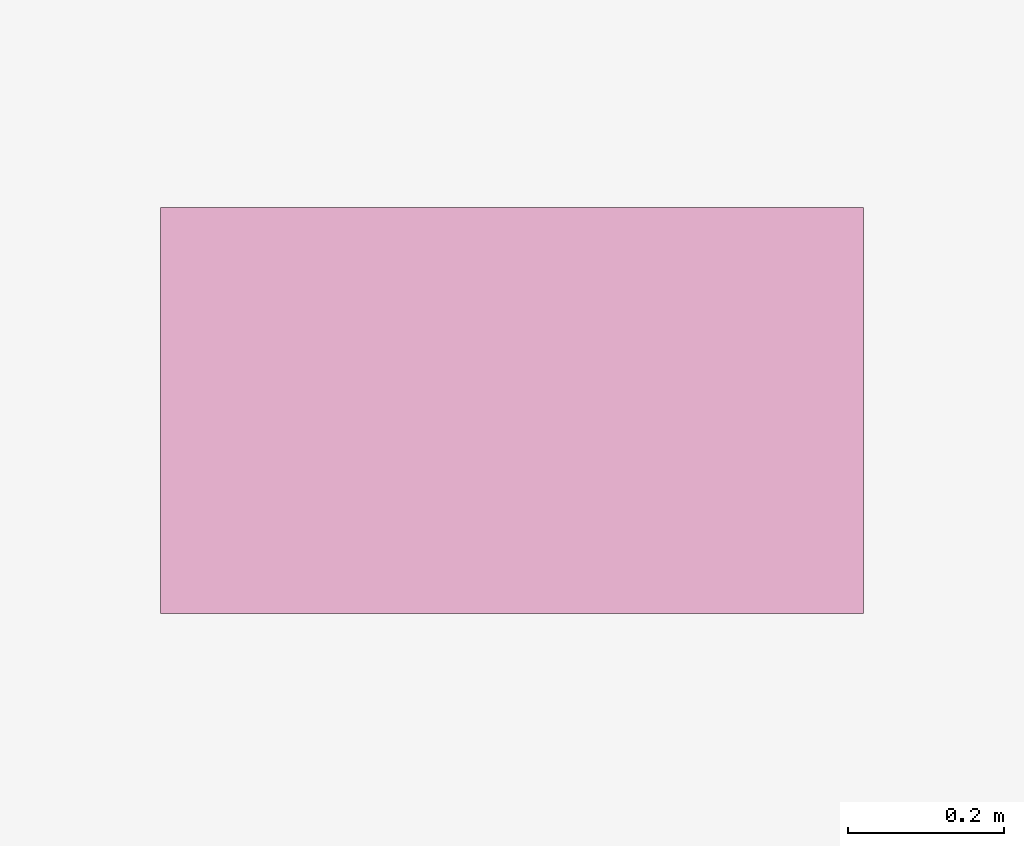
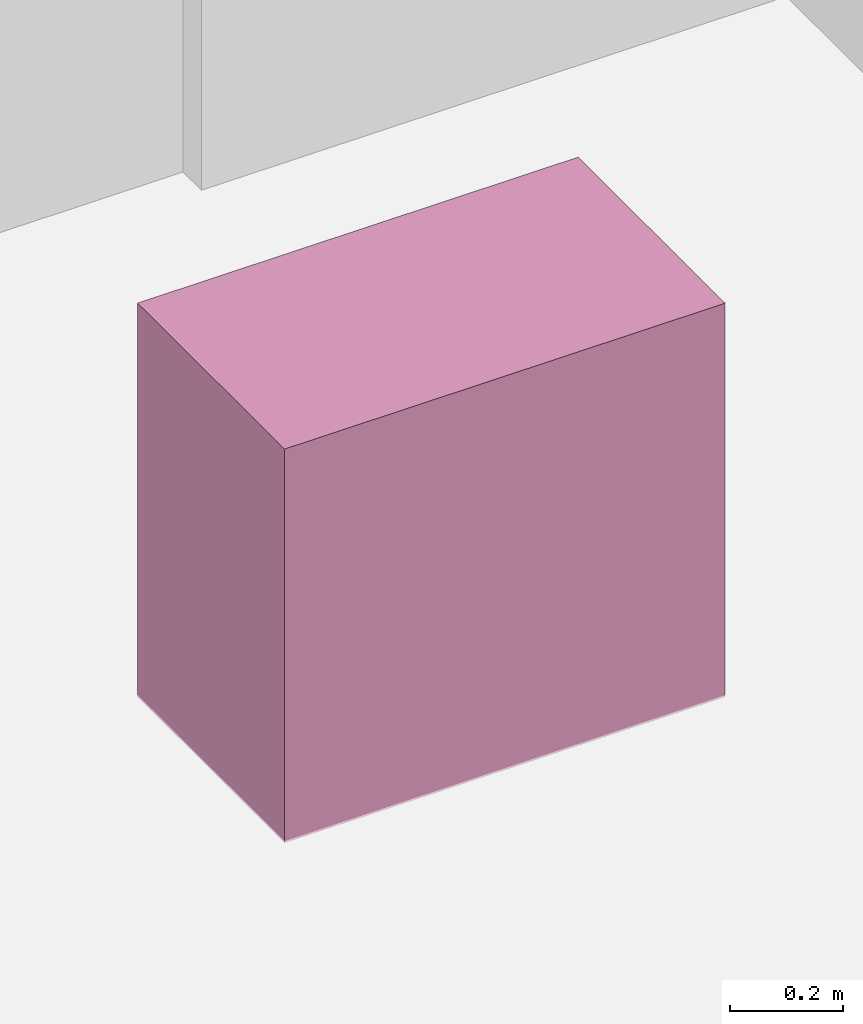
# One storey, part 30 of 30: 1 furnishing.
"""IFC4 building model written with IfcOpenShell, lengths in metres."""

from ifc_helpers import new_model, si_unit, direction, frame, origin, origin_2d, place, context, subcontext, project, spatial, rectangle, extrude, material, type_object, element, save


model = new_model("IFC4")

# Units and contexts
model_context = context("Model", 3, precision=1e-05, world=origin(), true_north=direction((0.0, 1.0)))
body_context = subcontext(model_context, "Body", "Model", "MODEL_VIEW")
ifc_project = project(units=[si_unit("LENGTHUNIT", "METRE"), si_unit("AREAUNIT", "SQUARE_METRE"), si_unit("VOLUMEUNIT", "CUBIC_METRE"), si_unit("PLANEANGLEUNIT", "RADIAN"), si_unit("MASSUNIT", "GRAM", prefix="KILO")], contexts=[model_context])

# Site, building, storey
site_placement = place(None, origin())
site = spatial("IfcSite", under=ifc_project, at=site_placement, CompositionType="ELEMENT")
building_placement = place(site_placement, origin())
building = spatial("IfcBuilding", under=site, at=building_placement, Name="Vorneva Point Tower", CompositionType="ELEMENT")
storey_placement = place(building_placement, frame((0.0, 0.0, 78.800048828125)))
storey = spatial("IfcBuildingStorey", under=building, at=storey_placement, Name="L20", CompositionType="ELEMENT", Elevation=78.800048828125)

# Furnishing
ifc_material = material(Name="Vitreous china and granite top", Category="masonry")
furniture_type = type_object("IfcFurnitureType", Name="FUR-VAN-900", AssemblyPlace="NOTDEFINED", PredefinedType="NOTDEFINED", material=ifc_material)
furnishing_placement = place(storey_placement, frame((37.97509765625, 32.1201171875, -0.005126953125), z_axis=(0.0, 0.0, 1.0), x_axis=(1.0, 0.0, 0.0)))
element("IfcFurnishingElement", 1, at=furnishing_placement, inside=storey, type_object=furniture_type, Name="L20 Accessible WC Vanity Unit", ObjectType="L20 Accessible WC Vanity Unit", context=body_context, shape_type="SweptSolid", body=[
    extrude(rectangle(XDim=0.89990234375, YDim=0.52001953125, at=origin_2d()), origin(), (0.0, 0.0, 1.0), 0.85009765625),
])

save(model, "model.ifc")
